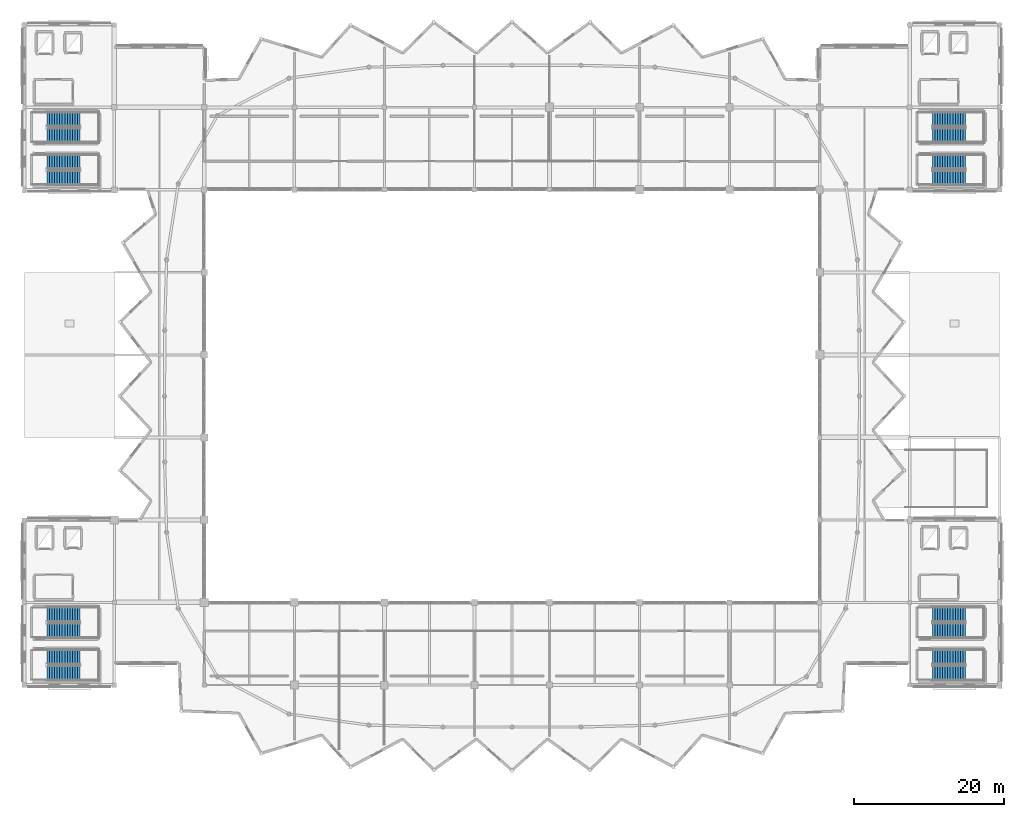
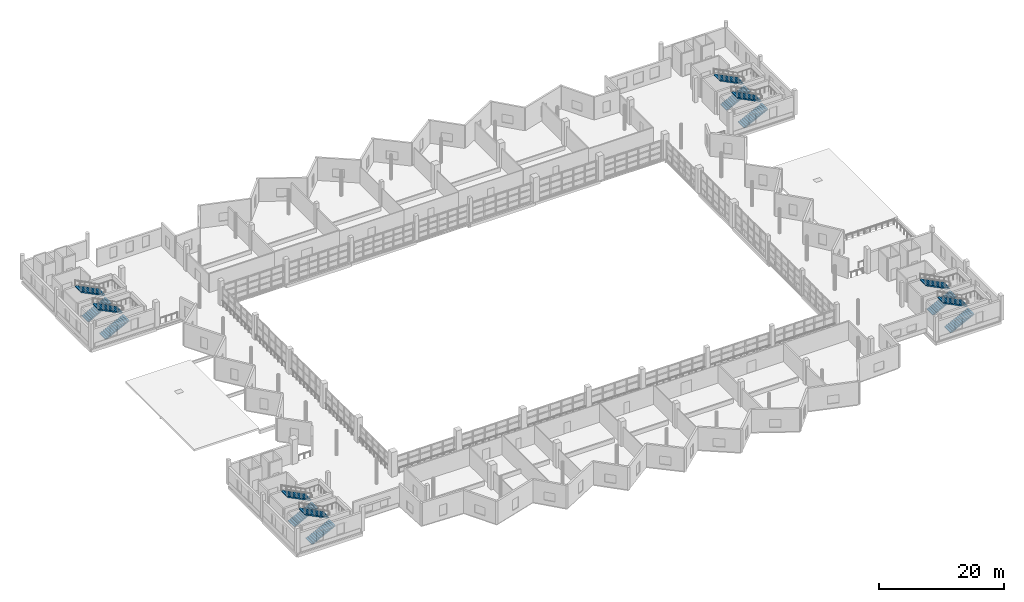
# One storey, part 45 of 53: 16 stair flights, 8 elements without a shape of their own.
"""IFC4 building model written with IfcOpenShell, lengths in metres."""

from ifc_helpers import new_model, si_unit, direction, frame, origin, place, context, subcontext, project, spatial, polyline, outline, extrude, material, layer, layer_set, type_object, element, aggregate, save


model = new_model("IFC4")

# Units and contexts
model_context = context("Model", 3, precision=1e-05, world=origin(), true_north=direction((0.0, 1.0)))
body_context = subcontext(model_context, "Body", "Model", "MODEL_VIEW")
ifc_project = project(units=[si_unit("LENGTHUNIT", "METRE"), si_unit("AREAUNIT", "SQUARE_METRE"), si_unit("VOLUMEUNIT", "CUBIC_METRE"), si_unit("PLANEANGLEUNIT", "RADIAN"), si_unit("MASSUNIT", "GRAM", prefix="KILO")], contexts=[model_context])

# Site, building, storey
site_placement = place(None, origin())
site = spatial("IfcSite", under=ifc_project, at=site_placement, CompositionType="ELEMENT")
building_placement = place(site_placement, origin())
building = spatial("IfcBuilding", under=site, at=building_placement, Name="Luwafu Chhajja Arena", CompositionType="ELEMENT")
storey_placement = place(building_placement, frame((0.0, 0.0, 19.5)))
storey = spatial("IfcBuildingStorey", under=building, at=storey_placement, Name="L04", CompositionType="ELEMENT", Elevation=19.5)

# Stair, stair flights
ifc_material = material(Name="Concrete C35/45", Category="concrete")
stair_type = type_object("IfcStairType", Name="Quadrant Protected Dog-Leg Stair 1920", PredefinedType="HALF_TURN_STAIR", material=ifc_material)
stair_1_placement = place(storey_placement, origin())
stair_1 = element("IfcStair", 1, at=stair_1_placement, inside=storey, type_object=stair_type, Name="L04 Protected Escape Stair ST-01", PredefinedType="HALF_TURN_STAIR")
ifc_layer = layer(ifc_material, 0.169921875, Name="Concrete C35/45")
ifc_layer_set = layer_set([ifc_layer], Name="Concrete C35/45")
stair_flight_type = type_object("IfcStairFlightType", Name="RC Escape Stair Flight 1920", PredefinedType="STRAIGHT", material=ifc_layer_set)
stair_flight_1_placement = place(storey_placement, frame((37.02001953125, 12.610107421875, 0.0), z_axis=(0.0, 0.0, 1.0), x_axis=(1.0, 0.0, 0.0)))
stair_flight_1 = element("IfcStairFlight", 2, at=stair_flight_1_placement, type_object=stair_flight_type, Name="ST-01 flight 1", NumberOfRisers=14, NumberOfTreads=13, PredefinedType="STRAIGHT", RiserHeight=0.171428571, TreadLength=0.34, context=body_context, shape_type="SweptSolid", body=[
    extrude(outline(polyline([(0.0, 0.0), (0.0, 0.17138671875), (0.340087890625, 0.17138671875), (0.340087890625, 0.3427734375), (0.679931640625, 0.3427734375), (0.679931640625, 0.514404296875), (1.02001953125, 0.514404296875), (1.02001953125, 0.685791015625), (1.360107421875, 0.685791015625), (1.360107421875, 0.857177734375), (1.699951171875, 0.857177734375), (1.699951171875, 1.028564453125), (2.0400390625, 1.028564453125), (2.0400390625, 1.199951171875), (2.3798828125, 1.199951171875), (2.3798828125, 1.371337890625), (2.719970703125, 1.371337890625), (2.719970703125, 1.54296875), (3.06005859375, 1.54296875), (3.06005859375, 1.71435546875), (3.39990234375, 1.71435546875), (3.39990234375, 1.8857421875), (3.739990234375, 1.8857421875), (3.739990234375, 2.05712890625), (4.080078125, 2.05712890625), (4.080078125, 2.228515625), (4.419921875, 2.228515625), (4.419921875, 2.39990234375), (4.419921875, 2.038330078125), (0.37744140625, 0.0), (0.0, 0.0)])), frame((0.0, 0.9599609375, 0.0), z_axis=(0.0, -1.0, 0.0), x_axis=(1.0, 0.0, 0.0)), (0.0, 0.0, 1.0), 1.919921875),
])
stair_flight_2_placement = place(storey_placement, frame((41.43994140625, 14.72998046875, 2.39990234375), z_axis=(0.0, 0.0, 1.0), x_axis=(-1.0, 0.0, 0.0)))
stair_flight_2 = element("IfcStairFlight", 3, at=stair_flight_2_placement, type_object=stair_flight_type, Name="ST-01 flight 2", NumberOfRisers=14, NumberOfTreads=13, PredefinedType="STRAIGHT", RiserHeight=0.171428571, TreadLength=0.34, context=body_context, shape_type="SweptSolid", body=[
    extrude(outline(polyline([(0.0, 0.0), (0.0, 0.17138671875), (0.340087890625, 0.17138671875), (0.340087890625, 0.3427734375), (0.679931640625, 0.3427734375), (0.679931640625, 0.514404296875), (1.02001953125, 0.514404296875), (1.02001953125, 0.685791015625), (1.360107421875, 0.685791015625), (1.360107421875, 0.857177734375), (1.699951171875, 0.857177734375), (1.699951171875, 1.028564453125), (2.0400390625, 1.028564453125), (2.0400390625, 1.199951171875), (2.3798828125, 1.199951171875), (2.3798828125, 1.371337890625), (2.719970703125, 1.371337890625), (2.719970703125, 1.54296875), (3.06005859375, 1.54296875), (3.06005859375, 1.71435546875), (3.39990234375, 1.71435546875), (3.39990234375, 1.8857421875), (3.739990234375, 1.8857421875), (3.739990234375, 2.05712890625), (4.080078125, 2.05712890625), (4.080078125, 2.228515625), (4.419921875, 2.228515625), (4.419921875, 2.39990234375), (4.419921875, 2.038330078125), (0.37744140625, 0.0), (0.0, 0.0)])), frame((0.0, 0.9599609375, 0.0), z_axis=(0.0, -1.0, 0.0), x_axis=(1.0, 0.0, 0.0)), (0.0, 0.0, 1.0), 1.919921875),
])
aggregate(stair_1, [stair_flight_1, stair_flight_2])

stair_2_placement = place(storey_placement, origin())
stair_2 = element("IfcStair", 4, at=stair_2_placement, inside=storey, type_object=stair_type, Name="L04 Protected Escape Stair ST-02", PredefinedType="HALF_TURN_STAIR")
stair_flight_3_placement = place(storey_placement, frame((37.02001953125, 18.27001953125, 0.0), z_axis=(0.0, 0.0, 1.0), x_axis=(1.0, 0.0, 0.0)))
stair_flight_3 = element("IfcStairFlight", 5, at=stair_flight_3_placement, type_object=stair_flight_type, Name="ST-02 flight 1", NumberOfRisers=14, NumberOfTreads=13, PredefinedType="STRAIGHT", RiserHeight=0.171428571, TreadLength=0.34, context=body_context, shape_type="SweptSolid", body=[
    extrude(outline(polyline([(0.0, 0.0), (0.0, 0.17138671875), (0.340087890625, 0.17138671875), (0.340087890625, 0.3427734375), (0.679931640625, 0.3427734375), (0.679931640625, 0.514404296875), (1.02001953125, 0.514404296875), (1.02001953125, 0.685791015625), (1.360107421875, 0.685791015625), (1.360107421875, 0.857177734375), (1.699951171875, 0.857177734375), (1.699951171875, 1.028564453125), (2.0400390625, 1.028564453125), (2.0400390625, 1.199951171875), (2.3798828125, 1.199951171875), (2.3798828125, 1.371337890625), (2.719970703125, 1.371337890625), (2.719970703125, 1.54296875), (3.06005859375, 1.54296875), (3.06005859375, 1.71435546875), (3.39990234375, 1.71435546875), (3.39990234375, 1.8857421875), (3.739990234375, 1.8857421875), (3.739990234375, 2.05712890625), (4.080078125, 2.05712890625), (4.080078125, 2.228515625), (4.419921875, 2.228515625), (4.419921875, 2.39990234375), (4.419921875, 2.038330078125), (0.37744140625, 0.0), (0.0, 0.0)])), frame((0.0, 0.9599609375, 0.0), z_axis=(0.0, -1.0, 0.0), x_axis=(1.0, 0.0, 0.0)), (0.0, 0.0, 1.0), 1.919921875),
])
stair_flight_4_placement = place(storey_placement, frame((41.43994140625, 20.389892578125, 2.39990234375), z_axis=(0.0, 0.0, 1.0), x_axis=(-1.0, 0.0, 0.0)))
stair_flight_4 = element("IfcStairFlight", 6, at=stair_flight_4_placement, type_object=stair_flight_type, Name="ST-02 flight 2", NumberOfRisers=14, NumberOfTreads=13, PredefinedType="STRAIGHT", RiserHeight=0.171428571, TreadLength=0.34, context=body_context, shape_type="SweptSolid", body=[
    extrude(outline(polyline([(0.0, 0.0), (0.0, 0.17138671875), (0.340087890625, 0.17138671875), (0.340087890625, 0.3427734375), (0.679931640625, 0.3427734375), (0.679931640625, 0.514404296875), (1.02001953125, 0.514404296875), (1.02001953125, 0.685791015625), (1.360107421875, 0.685791015625), (1.360107421875, 0.857177734375), (1.699951171875, 0.857177734375), (1.699951171875, 1.028564453125), (2.0400390625, 1.028564453125), (2.0400390625, 1.199951171875), (2.3798828125, 1.199951171875), (2.3798828125, 1.371337890625), (2.719970703125, 1.371337890625), (2.719970703125, 1.54296875), (3.06005859375, 1.54296875), (3.06005859375, 1.71435546875), (3.39990234375, 1.71435546875), (3.39990234375, 1.8857421875), (3.739990234375, 1.8857421875), (3.739990234375, 2.05712890625), (4.080078125, 2.05712890625), (4.080078125, 2.228515625), (4.419921875, 2.228515625), (4.419921875, 2.39990234375), (4.419921875, 2.038330078125), (0.37744140625, 0.0), (0.0, 0.0)])), frame((0.0, 0.9599609375, 0.0), z_axis=(0.0, -1.0, 0.0), x_axis=(1.0, 0.0, 0.0)), (0.0, 0.0, 1.0), 1.919921875),
])
aggregate(stair_2, [stair_flight_3, stair_flight_4])

stair_3_placement = place(storey_placement, origin())
stair_3 = element("IfcStair", 7, at=stair_3_placement, inside=storey, type_object=stair_type, Name="L04 Protected Escape Stair ST-03", PredefinedType="HALF_TURN_STAIR")
stair_flight_5_placement = place(storey_placement, frame((155.02001953125, 12.610107421875, 0.0), z_axis=(0.0, 0.0, 1.0), x_axis=(1.0, 0.0, 0.0)))
stair_flight_5 = element("IfcStairFlight", 8, at=stair_flight_5_placement, type_object=stair_flight_type, Name="ST-03 flight 1", NumberOfRisers=14, NumberOfTreads=13, PredefinedType="STRAIGHT", RiserHeight=0.171428571, TreadLength=0.34, context=body_context, shape_type="SweptSolid", body=[
    extrude(outline(polyline([(0.0, 0.0), (0.0, 0.17138671875), (0.340087890625, 0.17138671875), (0.340087890625, 0.3427734375), (0.679931640625, 0.3427734375), (0.679931640625, 0.514404296875), (1.02001953125, 0.514404296875), (1.02001953125, 0.685791015625), (1.360107421875, 0.685791015625), (1.360107421875, 0.857177734375), (1.699951171875, 0.857177734375), (1.699951171875, 1.028564453125), (2.0400390625, 1.028564453125), (2.0400390625, 1.199951171875), (2.3798828125, 1.199951171875), (2.3798828125, 1.371337890625), (2.719970703125, 1.371337890625), (2.719970703125, 1.54296875), (3.06005859375, 1.54296875), (3.06005859375, 1.71435546875), (3.39990234375, 1.71435546875), (3.39990234375, 1.8857421875), (3.739990234375, 1.8857421875), (3.739990234375, 2.05712890625), (4.080078125, 2.05712890625), (4.080078125, 2.228515625), (4.419921875, 2.228515625), (4.419921875, 2.39990234375), (4.419921875, 2.038330078125), (0.37744140625, 0.0), (0.0, 0.0)])), frame((0.0, 0.9599609375, 0.0), z_axis=(0.0, -1.0, 0.0), x_axis=(1.0, 0.0, 0.0)), (0.0, 0.0, 1.0), 1.919921875),
])
stair_flight_6_placement = place(storey_placement, frame((159.43994140625, 14.72998046875, 2.39990234375), z_axis=(0.0, 0.0, 1.0), x_axis=(-1.0, 0.0, 0.0)))
stair_flight_6 = element("IfcStairFlight", 9, at=stair_flight_6_placement, type_object=stair_flight_type, Name="ST-03 flight 2", NumberOfRisers=14, NumberOfTreads=13, PredefinedType="STRAIGHT", RiserHeight=0.171428571, TreadLength=0.34, context=body_context, shape_type="SweptSolid", body=[
    extrude(outline(polyline([(0.0, 0.0), (0.0, 0.17138671875), (0.340087890625, 0.17138671875), (0.340087890625, 0.3427734375), (0.679931640625, 0.3427734375), (0.679931640625, 0.514404296875), (1.02001953125, 0.514404296875), (1.02001953125, 0.685791015625), (1.360107421875, 0.685791015625), (1.360107421875, 0.857177734375), (1.699951171875, 0.857177734375), (1.699951171875, 1.028564453125), (2.0400390625, 1.028564453125), (2.0400390625, 1.199951171875), (2.3798828125, 1.199951171875), (2.3798828125, 1.371337890625), (2.719970703125, 1.371337890625), (2.719970703125, 1.54296875), (3.06005859375, 1.54296875), (3.06005859375, 1.71435546875), (3.39990234375, 1.71435546875), (3.39990234375, 1.8857421875), (3.739990234375, 1.8857421875), (3.739990234375, 2.05712890625), (4.080078125, 2.05712890625), (4.080078125, 2.228515625), (4.419921875, 2.228515625), (4.419921875, 2.39990234375), (4.419921875, 2.038330078125), (0.37744140625, 0.0), (0.0, 0.0)])), frame((0.0, 0.9599609375, 0.0), z_axis=(0.0, -1.0, 0.0), x_axis=(1.0, 0.0, 0.0)), (0.0, 0.0, 1.0), 1.919921875),
])
aggregate(stair_3, [stair_flight_5, stair_flight_6])

stair_4_placement = place(storey_placement, origin())
stair_4 = element("IfcStair", 10, at=stair_4_placement, inside=storey, type_object=stair_type, Name="L04 Protected Escape Stair ST-04", PredefinedType="HALF_TURN_STAIR")
stair_flight_7_placement = place(storey_placement, frame((155.02001953125, 18.27001953125, 0.0), z_axis=(0.0, 0.0, 1.0), x_axis=(1.0, 0.0, 0.0)))
stair_flight_7 = element("IfcStairFlight", 11, at=stair_flight_7_placement, type_object=stair_flight_type, Name="ST-04 flight 1", NumberOfRisers=14, NumberOfTreads=13, PredefinedType="STRAIGHT", RiserHeight=0.171428571, TreadLength=0.34, context=body_context, shape_type="SweptSolid", body=[
    extrude(outline(polyline([(0.0, 0.0), (0.0, 0.17138671875), (0.340087890625, 0.17138671875), (0.340087890625, 0.3427734375), (0.679931640625, 0.3427734375), (0.679931640625, 0.514404296875), (1.02001953125, 0.514404296875), (1.02001953125, 0.685791015625), (1.360107421875, 0.685791015625), (1.360107421875, 0.857177734375), (1.699951171875, 0.857177734375), (1.699951171875, 1.028564453125), (2.0400390625, 1.028564453125), (2.0400390625, 1.199951171875), (2.3798828125, 1.199951171875), (2.3798828125, 1.371337890625), (2.719970703125, 1.371337890625), (2.719970703125, 1.54296875), (3.06005859375, 1.54296875), (3.06005859375, 1.71435546875), (3.39990234375, 1.71435546875), (3.39990234375, 1.8857421875), (3.739990234375, 1.8857421875), (3.739990234375, 2.05712890625), (4.080078125, 2.05712890625), (4.080078125, 2.228515625), (4.419921875, 2.228515625), (4.419921875, 2.39990234375), (4.419921875, 2.038330078125), (0.37744140625, 0.0), (0.0, 0.0)])), frame((0.0, 0.9599609375, 0.0), z_axis=(0.0, -1.0, 0.0), x_axis=(1.0, 0.0, 0.0)), (0.0, 0.0, 1.0), 1.919921875),
])
stair_flight_8_placement = place(storey_placement, frame((159.43994140625, 20.389892578125, 2.39990234375), z_axis=(0.0, 0.0, 1.0), x_axis=(-1.0, 0.0, 0.0)))
stair_flight_8 = element("IfcStairFlight", 12, at=stair_flight_8_placement, type_object=stair_flight_type, Name="ST-04 flight 2", NumberOfRisers=14, NumberOfTreads=13, PredefinedType="STRAIGHT", RiserHeight=0.171428571, TreadLength=0.34, context=body_context, shape_type="SweptSolid", body=[
    extrude(outline(polyline([(0.0, 0.0), (0.0, 0.17138671875), (0.340087890625, 0.17138671875), (0.340087890625, 0.3427734375), (0.679931640625, 0.3427734375), (0.679931640625, 0.514404296875), (1.02001953125, 0.514404296875), (1.02001953125, 0.685791015625), (1.360107421875, 0.685791015625), (1.360107421875, 0.857177734375), (1.699951171875, 0.857177734375), (1.699951171875, 1.028564453125), (2.0400390625, 1.028564453125), (2.0400390625, 1.199951171875), (2.3798828125, 1.199951171875), (2.3798828125, 1.371337890625), (2.719970703125, 1.371337890625), (2.719970703125, 1.54296875), (3.06005859375, 1.54296875), (3.06005859375, 1.71435546875), (3.39990234375, 1.71435546875), (3.39990234375, 1.8857421875), (3.739990234375, 1.8857421875), (3.739990234375, 2.05712890625), (4.080078125, 2.05712890625), (4.080078125, 2.228515625), (4.419921875, 2.228515625), (4.419921875, 2.39990234375), (4.419921875, 2.038330078125), (0.37744140625, 0.0), (0.0, 0.0)])), frame((0.0, 0.9599609375, 0.0), z_axis=(0.0, -1.0, 0.0), x_axis=(1.0, 0.0, 0.0)), (0.0, 0.0, 1.0), 1.919921875),
])
aggregate(stair_4, [stair_flight_7, stair_flight_8])

stair_5_placement = place(storey_placement, origin())
stair_5 = element("IfcStair", 13, at=stair_5_placement, inside=storey, type_object=stair_type, Name="L04 Protected Escape Stair ST-05", PredefinedType="HALF_TURN_STAIR")
stair_flight_9_placement = place(storey_placement, frame((37.02001953125, 78.610107421875, 0.0), z_axis=(0.0, 0.0, 1.0), x_axis=(1.0, 0.0, 0.0)))
stair_flight_9 = element("IfcStairFlight", 14, at=stair_flight_9_placement, type_object=stair_flight_type, Name="ST-05 flight 1", NumberOfRisers=14, NumberOfTreads=13, PredefinedType="STRAIGHT", RiserHeight=0.171428571, TreadLength=0.34, context=body_context, shape_type="SweptSolid", body=[
    extrude(outline(polyline([(0.0, 0.0), (0.0, 0.17138671875), (0.340087890625, 0.17138671875), (0.340087890625, 0.3427734375), (0.679931640625, 0.3427734375), (0.679931640625, 0.514404296875), (1.02001953125, 0.514404296875), (1.02001953125, 0.685791015625), (1.360107421875, 0.685791015625), (1.360107421875, 0.857177734375), (1.699951171875, 0.857177734375), (1.699951171875, 1.028564453125), (2.0400390625, 1.028564453125), (2.0400390625, 1.199951171875), (2.3798828125, 1.199951171875), (2.3798828125, 1.371337890625), (2.719970703125, 1.371337890625), (2.719970703125, 1.54296875), (3.06005859375, 1.54296875), (3.06005859375, 1.71435546875), (3.39990234375, 1.71435546875), (3.39990234375, 1.8857421875), (3.739990234375, 1.8857421875), (3.739990234375, 2.05712890625), (4.080078125, 2.05712890625), (4.080078125, 2.228515625), (4.419921875, 2.228515625), (4.419921875, 2.39990234375), (4.419921875, 2.038330078125), (0.37744140625, 0.0), (0.0, 0.0)])), frame((0.0, 0.9599609375, 0.0), z_axis=(0.0, -1.0, 0.0), x_axis=(1.0, 0.0, 0.0)), (0.0, 0.0, 1.0), 1.919921875),
])
stair_flight_10_placement = place(storey_placement, frame((41.43994140625, 80.72998046875, 2.39990234375), z_axis=(0.0, 0.0, 1.0), x_axis=(-1.0, 0.0, 0.0)))
stair_flight_10 = element("IfcStairFlight", 15, at=stair_flight_10_placement, type_object=stair_flight_type, Name="ST-05 flight 2", NumberOfRisers=14, NumberOfTreads=13, PredefinedType="STRAIGHT", RiserHeight=0.171428571, TreadLength=0.34, context=body_context, shape_type="SweptSolid", body=[
    extrude(outline(polyline([(0.0, 0.0), (0.0, 0.17138671875), (0.340087890625, 0.17138671875), (0.340087890625, 0.3427734375), (0.679931640625, 0.3427734375), (0.679931640625, 0.514404296875), (1.02001953125, 0.514404296875), (1.02001953125, 0.685791015625), (1.360107421875, 0.685791015625), (1.360107421875, 0.857177734375), (1.699951171875, 0.857177734375), (1.699951171875, 1.028564453125), (2.0400390625, 1.028564453125), (2.0400390625, 1.199951171875), (2.3798828125, 1.199951171875), (2.3798828125, 1.371337890625), (2.719970703125, 1.371337890625), (2.719970703125, 1.54296875), (3.06005859375, 1.54296875), (3.06005859375, 1.71435546875), (3.39990234375, 1.71435546875), (3.39990234375, 1.8857421875), (3.739990234375, 1.8857421875), (3.739990234375, 2.05712890625), (4.080078125, 2.05712890625), (4.080078125, 2.228515625), (4.419921875, 2.228515625), (4.419921875, 2.39990234375), (4.419921875, 2.038330078125), (0.37744140625, 0.0), (0.0, 0.0)])), frame((0.0, 0.9599609375, 0.0), z_axis=(0.0, -1.0, 0.0), x_axis=(1.0, 0.0, 0.0)), (0.0, 0.0, 1.0), 1.919921875),
])
aggregate(stair_5, [stair_flight_9, stair_flight_10])

stair_6_placement = place(storey_placement, origin())
stair_6 = element("IfcStair", 16, at=stair_6_placement, inside=storey, type_object=stair_type, Name="L04 Protected Escape Stair ST-06", PredefinedType="HALF_TURN_STAIR")
stair_flight_11_placement = place(storey_placement, frame((37.02001953125, 84.27001953125, 0.0), z_axis=(0.0, 0.0, 1.0), x_axis=(1.0, 0.0, 0.0)))
stair_flight_11 = element("IfcStairFlight", 17, at=stair_flight_11_placement, type_object=stair_flight_type, Name="ST-06 flight 1", NumberOfRisers=14, NumberOfTreads=13, PredefinedType="STRAIGHT", RiserHeight=0.171428571, TreadLength=0.34, context=body_context, shape_type="SweptSolid", body=[
    extrude(outline(polyline([(0.0, 0.0), (0.0, 0.17138671875), (0.340087890625, 0.17138671875), (0.340087890625, 0.3427734375), (0.679931640625, 0.3427734375), (0.679931640625, 0.514404296875), (1.02001953125, 0.514404296875), (1.02001953125, 0.685791015625), (1.360107421875, 0.685791015625), (1.360107421875, 0.857177734375), (1.699951171875, 0.857177734375), (1.699951171875, 1.028564453125), (2.0400390625, 1.028564453125), (2.0400390625, 1.199951171875), (2.3798828125, 1.199951171875), (2.3798828125, 1.371337890625), (2.719970703125, 1.371337890625), (2.719970703125, 1.54296875), (3.06005859375, 1.54296875), (3.06005859375, 1.71435546875), (3.39990234375, 1.71435546875), (3.39990234375, 1.8857421875), (3.739990234375, 1.8857421875), (3.739990234375, 2.05712890625), (4.080078125, 2.05712890625), (4.080078125, 2.228515625), (4.419921875, 2.228515625), (4.419921875, 2.39990234375), (4.419921875, 2.038330078125), (0.37744140625, 0.0), (0.0, 0.0)])), frame((0.0, 0.9599609375, 0.0), z_axis=(0.0, -1.0, 0.0), x_axis=(1.0, 0.0, 0.0)), (0.0, 0.0, 1.0), 1.919921875),
])
stair_flight_12_placement = place(storey_placement, frame((41.43994140625, 86.389892578125, 2.39990234375), z_axis=(0.0, 0.0, 1.0), x_axis=(-1.0, 0.0, 0.0)))
stair_flight_12 = element("IfcStairFlight", 18, at=stair_flight_12_placement, type_object=stair_flight_type, Name="ST-06 flight 2", NumberOfRisers=14, NumberOfTreads=13, PredefinedType="STRAIGHT", RiserHeight=0.171428571, TreadLength=0.34, context=body_context, shape_type="SweptSolid", body=[
    extrude(outline(polyline([(0.0, 0.0), (0.0, 0.17138671875), (0.340087890625, 0.17138671875), (0.340087890625, 0.3427734375), (0.679931640625, 0.3427734375), (0.679931640625, 0.514404296875), (1.02001953125, 0.514404296875), (1.02001953125, 0.685791015625), (1.360107421875, 0.685791015625), (1.360107421875, 0.857177734375), (1.699951171875, 0.857177734375), (1.699951171875, 1.028564453125), (2.0400390625, 1.028564453125), (2.0400390625, 1.199951171875), (2.3798828125, 1.199951171875), (2.3798828125, 1.371337890625), (2.719970703125, 1.371337890625), (2.719970703125, 1.54296875), (3.06005859375, 1.54296875), (3.06005859375, 1.71435546875), (3.39990234375, 1.71435546875), (3.39990234375, 1.8857421875), (3.739990234375, 1.8857421875), (3.739990234375, 2.05712890625), (4.080078125, 2.05712890625), (4.080078125, 2.228515625), (4.419921875, 2.228515625), (4.419921875, 2.39990234375), (4.419921875, 2.038330078125), (0.37744140625, 0.0), (0.0, 0.0)])), frame((0.0, 0.9599609375, 0.0), z_axis=(0.0, -1.0, 0.0), x_axis=(1.0, 0.0, 0.0)), (0.0, 0.0, 1.0), 1.919921875),
])
aggregate(stair_6, [stair_flight_11, stair_flight_12])

stair_7_placement = place(storey_placement, origin())
stair_7 = element("IfcStair", 19, at=stair_7_placement, inside=storey, type_object=stair_type, Name="L04 Protected Escape Stair ST-07", PredefinedType="HALF_TURN_STAIR")
stair_flight_13_placement = place(storey_placement, frame((155.02001953125, 78.610107421875, 0.0), z_axis=(0.0, 0.0, 1.0), x_axis=(1.0, 0.0, 0.0)))
stair_flight_13 = element("IfcStairFlight", 20, at=stair_flight_13_placement, type_object=stair_flight_type, Name="ST-07 flight 1", NumberOfRisers=14, NumberOfTreads=13, PredefinedType="STRAIGHT", RiserHeight=0.171428571, TreadLength=0.34, context=body_context, shape_type="SweptSolid", body=[
    extrude(outline(polyline([(0.0, 0.0), (0.0, 0.17138671875), (0.340087890625, 0.17138671875), (0.340087890625, 0.3427734375), (0.679931640625, 0.3427734375), (0.679931640625, 0.514404296875), (1.02001953125, 0.514404296875), (1.02001953125, 0.685791015625), (1.360107421875, 0.685791015625), (1.360107421875, 0.857177734375), (1.699951171875, 0.857177734375), (1.699951171875, 1.028564453125), (2.0400390625, 1.028564453125), (2.0400390625, 1.199951171875), (2.3798828125, 1.199951171875), (2.3798828125, 1.371337890625), (2.719970703125, 1.371337890625), (2.719970703125, 1.54296875), (3.06005859375, 1.54296875), (3.06005859375, 1.71435546875), (3.39990234375, 1.71435546875), (3.39990234375, 1.8857421875), (3.739990234375, 1.8857421875), (3.739990234375, 2.05712890625), (4.080078125, 2.05712890625), (4.080078125, 2.228515625), (4.419921875, 2.228515625), (4.419921875, 2.39990234375), (4.419921875, 2.038330078125), (0.37744140625, 0.0), (0.0, 0.0)])), frame((0.0, 0.9599609375, 0.0), z_axis=(0.0, -1.0, 0.0), x_axis=(1.0, 0.0, 0.0)), (0.0, 0.0, 1.0), 1.919921875),
])
stair_flight_14_placement = place(storey_placement, frame((159.43994140625, 80.72998046875, 2.39990234375), z_axis=(0.0, 0.0, 1.0), x_axis=(-1.0, 0.0, 0.0)))
stair_flight_14 = element("IfcStairFlight", 21, at=stair_flight_14_placement, type_object=stair_flight_type, Name="ST-07 flight 2", NumberOfRisers=14, NumberOfTreads=13, PredefinedType="STRAIGHT", RiserHeight=0.171428571, TreadLength=0.34, context=body_context, shape_type="SweptSolid", body=[
    extrude(outline(polyline([(0.0, 0.0), (0.0, 0.17138671875), (0.340087890625, 0.17138671875), (0.340087890625, 0.3427734375), (0.679931640625, 0.3427734375), (0.679931640625, 0.514404296875), (1.02001953125, 0.514404296875), (1.02001953125, 0.685791015625), (1.360107421875, 0.685791015625), (1.360107421875, 0.857177734375), (1.699951171875, 0.857177734375), (1.699951171875, 1.028564453125), (2.0400390625, 1.028564453125), (2.0400390625, 1.199951171875), (2.3798828125, 1.199951171875), (2.3798828125, 1.371337890625), (2.719970703125, 1.371337890625), (2.719970703125, 1.54296875), (3.06005859375, 1.54296875), (3.06005859375, 1.71435546875), (3.39990234375, 1.71435546875), (3.39990234375, 1.8857421875), (3.739990234375, 1.8857421875), (3.739990234375, 2.05712890625), (4.080078125, 2.05712890625), (4.080078125, 2.228515625), (4.419921875, 2.228515625), (4.419921875, 2.39990234375), (4.419921875, 2.038330078125), (0.37744140625, 0.0), (0.0, 0.0)])), frame((0.0, 0.9599609375, 0.0), z_axis=(0.0, -1.0, 0.0), x_axis=(1.0, 0.0, 0.0)), (0.0, 0.0, 1.0), 1.919921875),
])
aggregate(stair_7, [stair_flight_13, stair_flight_14])

stair_8_placement = place(storey_placement, origin())
stair_8 = element("IfcStair", 22, at=stair_8_placement, inside=storey, type_object=stair_type, Name="L04 Protected Escape Stair ST-08", PredefinedType="HALF_TURN_STAIR")
stair_flight_15_placement = place(storey_placement, frame((155.02001953125, 84.27001953125, 0.0), z_axis=(0.0, 0.0, 1.0), x_axis=(1.0, 0.0, 0.0)))
stair_flight_15 = element("IfcStairFlight", 23, at=stair_flight_15_placement, type_object=stair_flight_type, Name="ST-08 flight 1", NumberOfRisers=14, NumberOfTreads=13, PredefinedType="STRAIGHT", RiserHeight=0.171428571, TreadLength=0.34, context=body_context, shape_type="SweptSolid", body=[
    extrude(outline(polyline([(0.0, 0.0), (0.0, 0.17138671875), (0.340087890625, 0.17138671875), (0.340087890625, 0.3427734375), (0.679931640625, 0.3427734375), (0.679931640625, 0.514404296875), (1.02001953125, 0.514404296875), (1.02001953125, 0.685791015625), (1.360107421875, 0.685791015625), (1.360107421875, 0.857177734375), (1.699951171875, 0.857177734375), (1.699951171875, 1.028564453125), (2.0400390625, 1.028564453125), (2.0400390625, 1.199951171875), (2.3798828125, 1.199951171875), (2.3798828125, 1.371337890625), (2.719970703125, 1.371337890625), (2.719970703125, 1.54296875), (3.06005859375, 1.54296875), (3.06005859375, 1.71435546875), (3.39990234375, 1.71435546875), (3.39990234375, 1.8857421875), (3.739990234375, 1.8857421875), (3.739990234375, 2.05712890625), (4.080078125, 2.05712890625), (4.080078125, 2.228515625), (4.419921875, 2.228515625), (4.419921875, 2.39990234375), (4.419921875, 2.038330078125), (0.37744140625, 0.0), (0.0, 0.0)])), frame((0.0, 0.9599609375, 0.0), z_axis=(0.0, -1.0, 0.0), x_axis=(1.0, 0.0, 0.0)), (0.0, 0.0, 1.0), 1.919921875),
])
stair_flight_16_placement = place(storey_placement, frame((159.43994140625, 86.389892578125, 2.39990234375), z_axis=(0.0, 0.0, 1.0), x_axis=(-1.0, 0.0, 0.0)))
stair_flight_16 = element("IfcStairFlight", 24, at=stair_flight_16_placement, type_object=stair_flight_type, Name="ST-08 flight 2", NumberOfRisers=14, NumberOfTreads=13, PredefinedType="STRAIGHT", RiserHeight=0.171428571, TreadLength=0.34, context=body_context, shape_type="SweptSolid", body=[
    extrude(outline(polyline([(0.0, 0.0), (0.0, 0.17138671875), (0.340087890625, 0.17138671875), (0.340087890625, 0.3427734375), (0.679931640625, 0.3427734375), (0.679931640625, 0.514404296875), (1.02001953125, 0.514404296875), (1.02001953125, 0.685791015625), (1.360107421875, 0.685791015625), (1.360107421875, 0.857177734375), (1.699951171875, 0.857177734375), (1.699951171875, 1.028564453125), (2.0400390625, 1.028564453125), (2.0400390625, 1.199951171875), (2.3798828125, 1.199951171875), (2.3798828125, 1.371337890625), (2.719970703125, 1.371337890625), (2.719970703125, 1.54296875), (3.06005859375, 1.54296875), (3.06005859375, 1.71435546875), (3.39990234375, 1.71435546875), (3.39990234375, 1.8857421875), (3.739990234375, 1.8857421875), (3.739990234375, 2.05712890625), (4.080078125, 2.05712890625), (4.080078125, 2.228515625), (4.419921875, 2.228515625), (4.419921875, 2.39990234375), (4.419921875, 2.038330078125), (0.37744140625, 0.0), (0.0, 0.0)])), frame((0.0, 0.9599609375, 0.0), z_axis=(0.0, -1.0, 0.0), x_axis=(1.0, 0.0, 0.0)), (0.0, 0.0, 1.0), 1.919921875),
])
aggregate(stair_8, [stair_flight_15, stair_flight_16])

save(model, "model.ifc")
